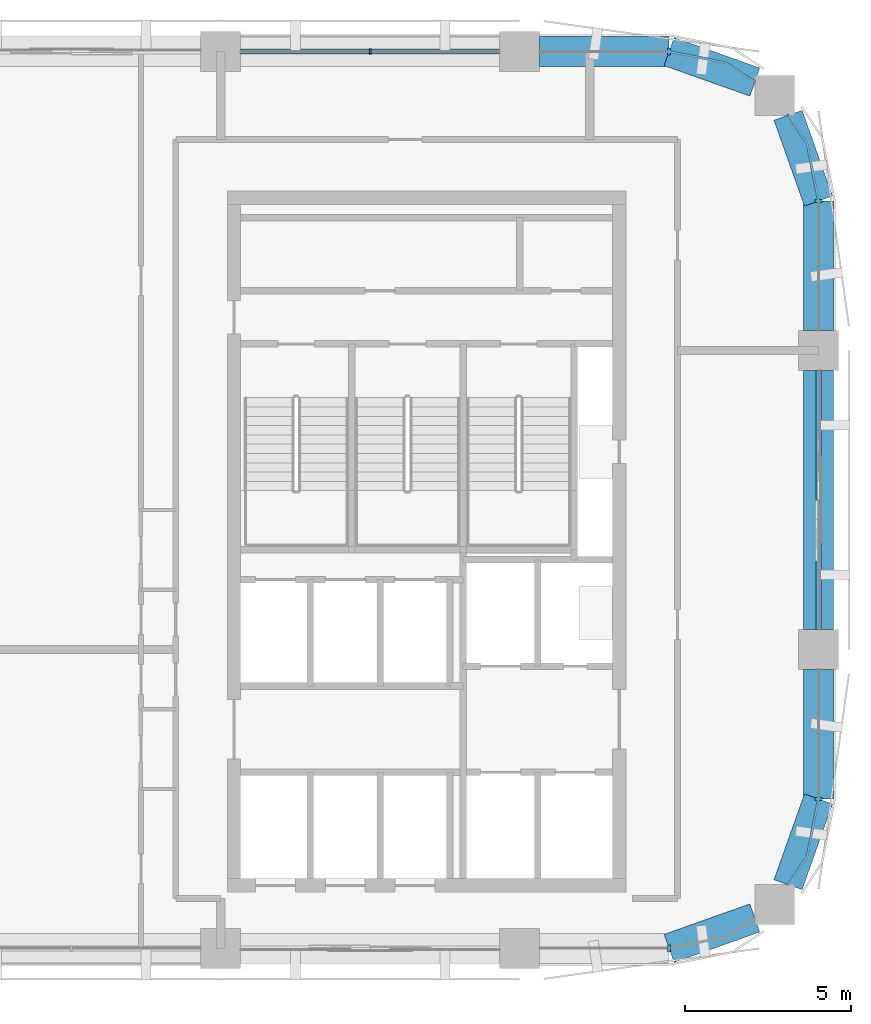
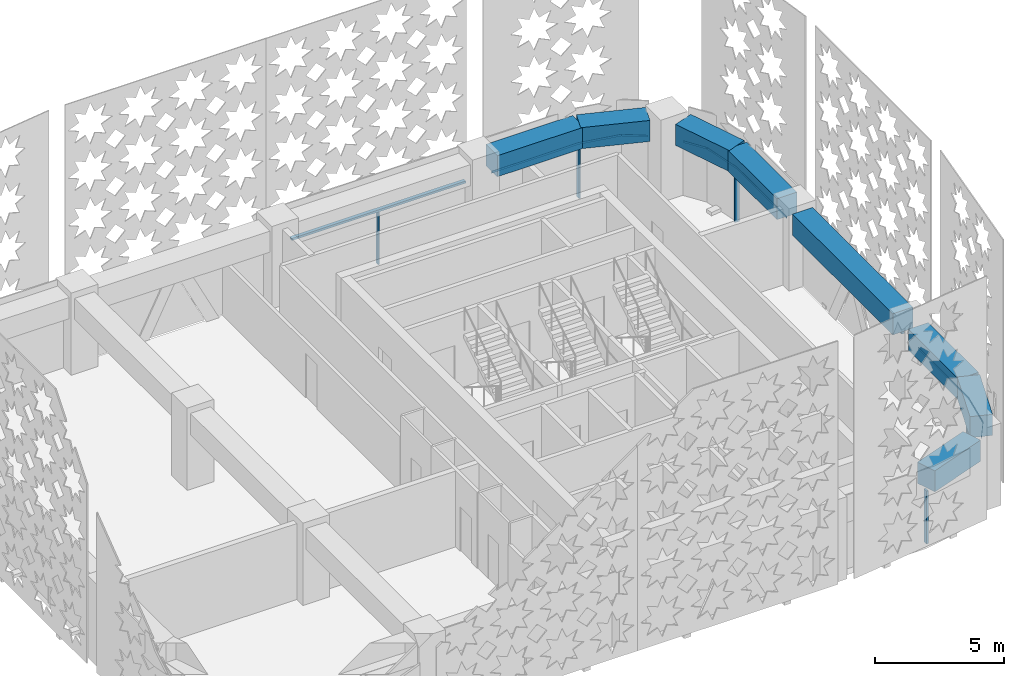
# One storey, part 4 of 14: 10 members, 8 beams, 6 elements without a shape of their own.
"""IFC4 building model written with IfcOpenShell, lengths in metres."""

from ifc_helpers import new_model, si_unit, direction, frame, origin, origin_2d, place, context, subcontext, project, spatial, polyline, rectangle, outline, extrude, material, material_profile, profile_set, type_object, element, aggregate, save


model = new_model("IFC4")

# Units and contexts
model_context = context("Model", 3, precision=1e-05, world=origin(), true_north=direction((0.0, 1.0)))
body_context = subcontext(model_context, "Body", "Model", "MODEL_VIEW")
ifc_project = project(units=[si_unit("LENGTHUNIT", "METRE"), si_unit("AREAUNIT", "SQUARE_METRE"), si_unit("VOLUMEUNIT", "CUBIC_METRE"), si_unit("PLANEANGLEUNIT", "RADIAN"), si_unit("MASSUNIT", "GRAM", prefix="KILO")], contexts=[model_context])

# Site, building, storey
site_placement = place(None, origin())
site = spatial("IfcSite", under=ifc_project, at=site_placement, CompositionType="ELEMENT")
building_placement = place(site_placement, origin())
building = spatial("IfcBuilding", under=site, at=building_placement, Name="Tessera Arch", CompositionType="ELEMENT")
storey_placement = place(building_placement, frame((0.0, 0.0, 269.60009765625)))
storey = spatial("IfcBuildingStorey", under=building, at=storey_placement, Name="L65", CompositionType="ELEMENT", Elevation=269.60009765625)

# Curtain wall, members
ifc_material_1 = material(Name="CW1 curtain wall")
curtain_wall_type_1 = type_object("IfcCurtainWallType", Name="CW1 curtain wall", PredefinedType="NOTDEFINED", material=ifc_material_1)
curtain_wall_1_placement = place(storey_placement, origin())
curtain_wall_1 = element("IfcCurtainWall", 1, at=curtain_wall_1_placement, inside=storey, type_object=curtain_wall_type_1, Name="CW1 curtain wall N54.18/1 L65", PredefinedType="NOTDEFINED")
ifc_material_2 = material(Name="Anodised aluminium pale metal", Category="aluminium")
ifc_material_profile_1 = material_profile(ifc_material_2, rectangle(XDim=0.159912109375, YDim=0.06005859375, at=origin_2d()), Name="AL 60x160")
ifc_profile_set_1 = profile_set([ifc_material_profile_1], Name="Anodised aluminium pale metal")
member_type_1 = type_object("IfcMemberType", Name="CW1 mullion", PredefinedType="MULLION", material=ifc_profile_set_1)
member_1_placement = place(storey_placement, frame((40.5, 54.0, 0.0), z_axis=(0.0, 0.0, 1.0), x_axis=(0.0, -1.0, 0.0)))
member_1 = element("IfcMember", 2, at=member_1_placement, type_object=member_type_1, Name="CW1 mullion N54.18/1 1", PredefinedType="MULLION", context=body_context, shape_type="SweptSolid", body=[
    extrude(rectangle(XDim=0.159912109375, YDim=0.06005859375, at=origin_2d()), origin(), (0.0, 0.0, 1.0), 2.5),
])
ifc_material_3 = material(Name="Anodised aluminium pale metal", Category="aluminium")
ifc_material_profile_2 = material_profile(ifc_material_3, rectangle(XDim=0.159912109375, YDim=0.10009765625, at=origin_2d()), Name="AL 160x100")
ifc_profile_set_2 = profile_set([ifc_material_profile_2], Name="Anodised aluminium pale metal")
member_type_2 = type_object("IfcMemberType", Name="CW1 transom", PredefinedType="USERDEFINED", material=ifc_profile_set_2)
member_2_placement = place(storey_placement, frame((44.39990234375, 54.0, 2.5498046875), z_axis=(-1.0, 0.0, 0.0), x_axis=(0.0, -1.0, 0.0)))
member_2 = element("IfcMember", 3, at=member_2_placement, type_object=member_type_2, Name="CW1 transom N54.18/1 1.1", ObjectType="TRANSOM", PredefinedType="USERDEFINED", context=body_context, shape_type="SweptSolid", body=[
    extrude(rectangle(XDim=0.159912109375, YDim=0.10009765625, at=origin_2d()), origin(), (0.0, 0.0, 1.0), 7.7998046875),
])
aggregate(curtain_wall_1, [member_1, member_2])

# Curtain wall, member
ifc_material_4 = material(Name="CW2 curtain wall")
curtain_wall_type_2 = type_object("IfcCurtainWallType", Name="CW2 curtain wall", PredefinedType="NOTDEFINED", material=ifc_material_4)
curtain_wall_2_placement = place(storey_placement, origin())
curtain_wall_2 = element("IfcCurtainWall", 4, at=curtain_wall_2_placement, inside=storey, type_object=curtain_wall_type_2, Name="CW2 curtain wall E54.27/1 L65", PredefinedType="NOTDEFINED")
ifc_material_5 = material(Name="Anodised aluminium pale metal", Category="aluminium")
ifc_material_profile_3 = material_profile(ifc_material_5, rectangle(XDim=0.199951171875, YDim=0.080078125, at=origin_2d()), Name="AL 80x200")
ifc_profile_set_3 = profile_set([ifc_material_profile_3], Name="Anodised aluminium pale metal")
member_type_3 = type_object("IfcMemberType", Name="CW2 mullion", PredefinedType="MULLION", material=ifc_profile_set_3)
member_3_placement = place(storey_placement, frame((54.0, 49.5, 0.0), z_axis=(0.0, 0.0, 1.0), x_axis=(-1.0, 0.0, 0.0)))
member_3 = element("IfcMember", 5, at=member_3_placement, type_object=member_type_3, Name="CW2 mullion E54.27/1 1", PredefinedType="MULLION", context=body_context, shape_type="SweptSolid", body=[
    extrude(rectangle(XDim=0.199951171875, YDim=0.080078125, at=origin_2d()), origin(), (0.0, 0.0, 1.0), 2.5),
])

curtain_wall_3_placement = place(storey_placement, origin())
curtain_wall_3 = element("IfcCurtainWall", 6, at=curtain_wall_3_placement, inside=storey, type_object=curtain_wall_type_2, Name="CW2 curtain wall N54.18/0 L65", PredefinedType="NOTDEFINED")
member_4_placement = place(storey_placement, frame((49.5, 54.0, 0.0), z_axis=(0.0, 0.0, 1.0), x_axis=(0.0, -1.0, 0.0)))
member_4 = element("IfcMember", 7, at=member_4_placement, type_object=member_type_3, Name="CW2 mullion N54.18/0 1", PredefinedType="MULLION", context=body_context, shape_type="SweptSolid", body=[
    extrude(rectangle(XDim=0.199951171875, YDim=0.080078125, at=origin_2d()), origin(), (0.0, 0.0, 1.0), 2.5),
])

curtain_wall_4_placement = place(storey_placement, origin())
curtain_wall_4 = element("IfcCurtainWall", 8, at=curtain_wall_4_placement, inside=storey, type_object=curtain_wall_type_2, Name="CW2 curtain wall S27.18/3 L65", PredefinedType="NOTDEFINED")
member_5_placement = place(storey_placement, frame((49.5, 27.0, 0.0), z_axis=(0.0, 0.0, 1.0), x_axis=(0.0, 1.0, 0.0)))
member_5 = element("IfcMember", 9, at=member_5_placement, type_object=member_type_3, Name="CW2 mullion S27.18/3 1", PredefinedType="MULLION", context=body_context, shape_type="SweptSolid", body=[
    extrude(rectangle(XDim=0.199951171875, YDim=0.080078125, at=origin_2d()), origin(), (0.0, 0.0, 1.0), 2.5),
])
aggregate(curtain_wall_4, [member_5])

curtain_wall_5_placement = place(storey_placement, origin())
curtain_wall_5 = element("IfcCurtainWall", 10, at=curtain_wall_5_placement, inside=storey, type_object=curtain_wall_type_2, Name="CW2 curtain wall E54.27/2 L65", PredefinedType="NOTDEFINED")
member_6_placement = place(storey_placement, frame((54.0, 31.5, 0.0), z_axis=(0.0, 0.0, 1.0), x_axis=(-1.0, 0.0, 0.0)))
member_6 = element("IfcMember", 11, at=member_6_placement, type_object=member_type_3, Name="CW2 mullion E54.27/2 1", PredefinedType="MULLION", context=body_context, shape_type="SweptSolid", body=[
    extrude(rectangle(XDim=0.199951171875, YDim=0.080078125, at=origin_2d()), origin(), (0.0, 0.0, 1.0), 2.5),
])

# Member
ifc_material_6 = material(Name="Anodised aluminium pale metal", Category="aluminium")
ifc_material_profile_4 = material_profile(ifc_material_6, rectangle(XDim=0.199951171875, YDim=0.10009765625, at=origin_2d()), Name="AL 200x100")
ifc_profile_set_4 = profile_set([ifc_material_profile_4], Name="Anodised aluminium pale metal")
member_type_4 = type_object("IfcMemberType", Name="CW2 transom", PredefinedType="USERDEFINED", material=ifc_profile_set_4)
member_7_placement = place(storey_placement, frame((0.0, 0.0, 2.5)))
member_7 = element("IfcMember", 12, at=member_7_placement, type_object=member_type_4, Name="CW2 transom E54.27/1 1", ObjectType="TRANSOM", PredefinedType="USERDEFINED", context=body_context, shape_type="SweptSolid", body=[
    extrude(outline(polyline([(53.989990234375, 49.4990234375), (53.989990234375, 45.60009765625), (54.010009765625, 45.60009765625), (54.010009765625, 49.5009765625), (53.6669921875, 51.22607421875), (53.09130859375, 52.087646484375), (53.07470703125, 52.076416015625), (53.648193359375, 51.21826171875), (53.989990234375, 49.4990234375)])), origin(), (0.0, 0.0, 1.0), 0.099853515625),
])

aggregate(curtain_wall_2, [member_3, member_7])

member_8_placement = place(storey_placement, frame((0.0, 0.0, 2.5)))
member_8 = element("IfcMember", 13, at=member_8_placement, type_object=member_type_4, Name="CW2 transom N54.18/0 1", ObjectType="TRANSOM", PredefinedType="USERDEFINED", context=body_context, shape_type="SweptSolid", body=[
    extrude(outline(polyline([(51.21826171875, 53.648193359375), (52.076416015625, 53.07470703125), (52.087646484375, 53.09130859375), (51.22607421875, 53.6669921875), (49.5009765625, 54.010009765625), (45.60009765625, 54.010009765625), (45.60009765625, 53.989990234375), (49.4990234375, 53.989990234375), (51.21826171875, 53.648193359375)])), origin(), (0.0, 0.0, 1.0), 0.099853515625),
])

aggregate(curtain_wall_3, [member_4, member_8])

member_9_placement = place(storey_placement, frame((0.0, 0.0, 2.5)))
member_9 = element("IfcMember", 14, at=member_9_placement, type_object=member_type_4, Name="CW2 transom E54.27/2 1", ObjectType="TRANSOM", PredefinedType="USERDEFINED", context=body_context, shape_type="SweptSolid", body=[
    extrude(outline(polyline([(53.648193359375, 29.78173828125), (53.07470703125, 28.923583984375), (53.09130859375, 28.912353515625), (53.6669921875, 29.77392578125), (54.010009765625, 31.4990234375), (54.010009765625, 35.39990234375), (53.989990234375, 35.39990234375), (53.989990234375, 31.5009765625), (53.648193359375, 29.78173828125)])), origin(), (0.0, 0.0, 1.0), 0.099853515625),
])

aggregate(curtain_wall_5, [member_6, member_9])

# Curtain wall, member
ifc_material_7 = material(Name="CW3 curtain wall")
curtain_wall_type_3 = type_object("IfcCurtainWallType", Name="CW3 curtain wall", PredefinedType="NOTDEFINED", material=ifc_material_7)
curtain_wall_6_placement = place(storey_placement, origin())
curtain_wall_6 = element("IfcCurtainWall", 15, at=curtain_wall_6_placement, inside=storey, type_object=curtain_wall_type_3, Name="CW3 curtain wall E54.27/0 L65", PredefinedType="NOTDEFINED")
ifc_material_8 = material(Name="Anodised aluminium pale metal", Category="aluminium")
ifc_material_profile_5 = material_profile(ifc_material_8, rectangle(XDim=0.139892578125, YDim=0.10009765625, at=origin_2d()), Name="AL 140x100")
ifc_profile_set_5 = profile_set([ifc_material_profile_5], Name="Anodised aluminium pale metal")
member_type_5 = type_object("IfcMemberType", Name="CW3 transom", PredefinedType="USERDEFINED", material=ifc_profile_set_5)
member_10_placement = place(storey_placement, frame((54.0, 36.60009765625, 2.5498046875), z_axis=(0.0, 1.0, 0.0), x_axis=(-1.0, 0.0, 0.0)))
member_10 = element("IfcMember", 16, at=member_10_placement, type_object=member_type_5, Name="CW3 transom E54.27/0 1.1", ObjectType="TRANSOM", PredefinedType="USERDEFINED", context=body_context, shape_type="SweptSolid", body=[
    extrude(rectangle(XDim=0.139892578125, YDim=0.10009765625, at=origin_2d()), origin(), (0.0, 0.0, 1.0), 7.7998046875),
])
aggregate(curtain_wall_6, [member_10])

# Beams
ifc_material_9 = material(Name="Concrete C60/75", Category="concrete")
ifc_material_profile_6 = material_profile(ifc_material_9, rectangle(XDim=0.89990234375, YDim=1.0, at=origin_2d()), Name="RC spandrel beam 900 x 1000 Concrete C60/75")
ifc_profile_set_6 = profile_set([ifc_material_profile_6], Name="Concrete C60/75")
beam_type = type_object("IfcBeamType", Name="RC spandrel beam 900 x 1000 Concrete C60/75", PredefinedType="BEAM", material=ifc_profile_set_6)
beam_1_placement = place(storey_placement, frame((54.0, 36.60009765625, 3.099853515625), z_axis=(0.0, 1.0, 0.0), x_axis=(-1.0, 0.0, 0.0)))
element("IfcBeam", 17, at=beam_1_placement, inside=storey, type_object=beam_type, Name="Spandrel beam L65 E54.27/0", PredefinedType="BEAM", context=body_context, shape_type="SweptSolid", body=[
    extrude(rectangle(XDim=0.89990234375, YDim=1.0, at=origin_2d()), origin(), (0.0, 0.0, 1.0), 7.7998046875),
])
beam_2_placement = place(storey_placement, frame((54.0, 45.60009765625, 3.099853515625), z_axis=(0.0, 1.0, 0.0), x_axis=(-1.0, 0.0, 0.0)))
element("IfcBeam", 18, at=beam_2_placement, inside=storey, type_object=beam_type, Name="Spandrel beam L65 E54.27/1.1", PredefinedType="BEAM", context=body_context, shape_type="SweptSolid", body=[
    extrude(rectangle(XDim=0.89990234375, YDim=1.0, at=origin_2d()), origin(), (0.0, 0.0, 1.0), 3.89990234375),
])
for number, where, z_axis, x_axis, name in (
    (19, (54.0, 49.5, 3.099853515625), (-0.334665114373, 0.942337127159, 0.0), (-0.942337127159, -0.334665114373, 0.0), "Spandrel beam L65 E54.27/1.2"),
    (20, (52.08203125, 53.0830078125, 3.099853515625), (-0.942337127159, 0.334665114373, 0.0), (-0.334665114373, -0.942337127159, 0.0), "Spandrel beam L65 N54.18/0.1"),
):
    element("IfcBeam", number, at=place(storey_placement, frame(where, z_axis=z_axis, x_axis=x_axis)), inside=storey, type_object=beam_type, Name=name, PredefinedType="BEAM", context=body_context, shape_type="SweptSolid", body=[
        extrude(rectangle(XDim=0.89990234375, YDim=1.0, at=origin_2d()), origin(), (0.0, 0.0, 1.0), 2.739990234375),
    ])
beam_3_placement = place(storey_placement, frame((49.5, 54.0, 3.099853515625), z_axis=(-1.0, 0.0, 0.0), x_axis=(0.0, -1.0, 0.0)))
element("IfcBeam", 21, at=beam_3_placement, inside=storey, type_object=beam_type, Name="Spandrel beam L65 N54.18/0.2", PredefinedType="BEAM", context=body_context, shape_type="SweptSolid", body=[
    extrude(rectangle(XDim=0.89990234375, YDim=1.0, at=origin_2d()), origin(), (0.0, 0.0, 1.0), 3.89990234375),
])
for number, where, z_axis, x_axis, name in (
    (22, (49.5, 27.0, 3.099853515625), (0.942337127159, 0.334665114373, 0.0), (-0.334665114373, 0.942337127159, 0.0), "Spandrel beam L65 S27.18/3.2"),
    (23, (53.0830078125, 28.91796875, 3.099853515625), (0.334665114373, 0.942337127159, 0.0), (-0.942337127159, 0.334665114373, 0.0), "Spandrel beam L65 E54.27/2.1"),
):
    element("IfcBeam", number, at=place(storey_placement, frame(where, z_axis=z_axis, x_axis=x_axis)), inside=storey, type_object=beam_type, Name=name, PredefinedType="BEAM", context=body_context, shape_type="SweptSolid", body=[
        extrude(rectangle(XDim=0.89990234375, YDim=1.0, at=origin_2d()), origin(), (0.0, 0.0, 1.0), 2.739990234375),
    ])
beam_4_placement = place(storey_placement, frame((54.0, 31.5, 3.099853515625), z_axis=(0.0, 1.0, 0.0), x_axis=(-1.0, 0.0, 0.0)))
element("IfcBeam", 24, at=beam_4_placement, inside=storey, type_object=beam_type, Name="Spandrel beam L65 E54.27/2.2", PredefinedType="BEAM", context=body_context, shape_type="SweptSolid", body=[
    extrude(rectangle(XDim=0.89990234375, YDim=1.0, at=origin_2d()), origin(), (0.0, 0.0, 1.0), 3.89990234375),
])

save(model, "model.ifc")
